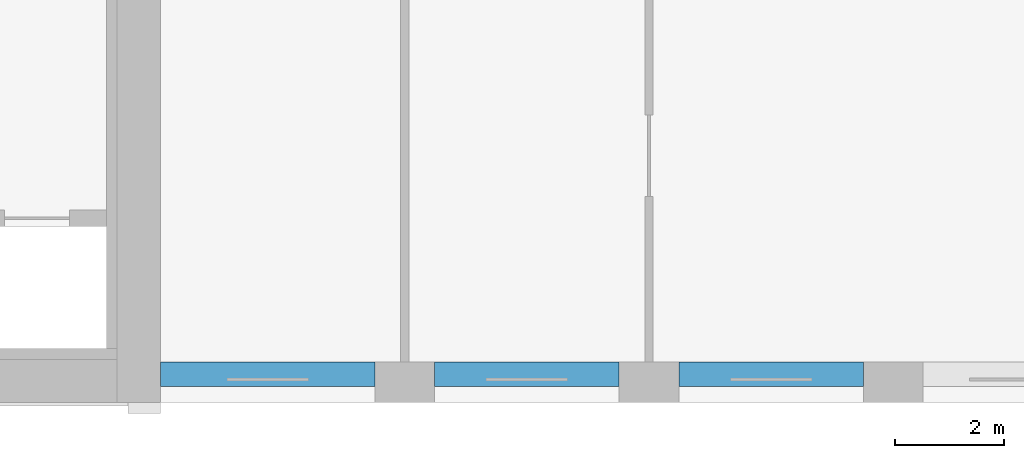
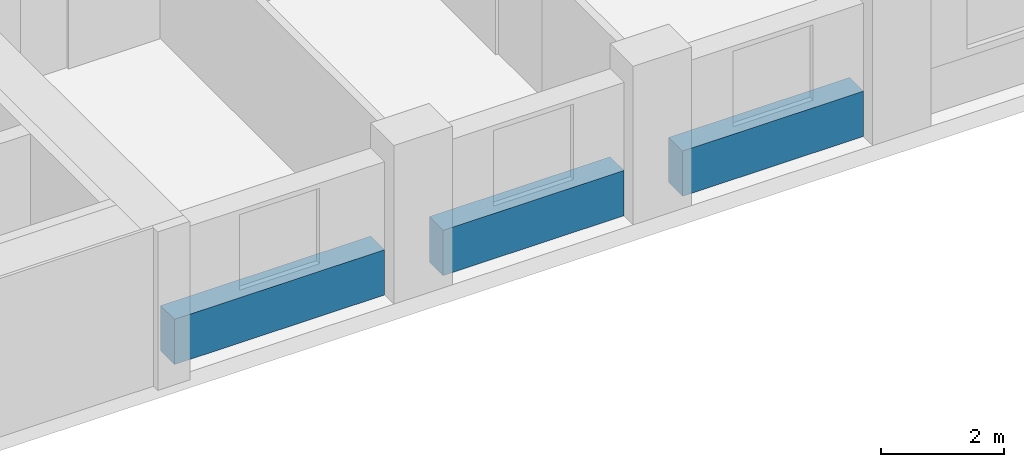
# One storey, part 3 of 17: 3 beams.
"""IFC4 building model written with IfcOpenShell, lengths in metres."""

from ifc_helpers import new_model, si_unit, direction, frame, origin, origin_2d, place, context, subcontext, project, spatial, rectangle, extrude, material, material_profile, profile_set, type_object, element, save


model = new_model("IFC4")

# Units and contexts
model_context = context("Model", 3, precision=1e-05, world=origin(), true_north=direction((0.0, 1.0)))
body_context = subcontext(model_context, "Body", "Model", "MODEL_VIEW")
ifc_project = project(units=[si_unit("LENGTHUNIT", "METRE"), si_unit("AREAUNIT", "SQUARE_METRE"), si_unit("VOLUMEUNIT", "CUBIC_METRE"), si_unit("PLANEANGLEUNIT", "RADIAN"), si_unit("MASSUNIT", "GRAM", prefix="KILO")], contexts=[model_context])

# Site, building, storey
site_placement = place(None, origin())
site = spatial("IfcSite", under=ifc_project, at=site_placement, CompositionType="ELEMENT")
building_placement = place(site_placement, origin())
building = spatial("IfcBuilding", under=site, at=building_placement, Name="Brigalow Station Residences", CompositionType="ELEMENT")
storey_placement = place(building_placement, frame((0.0, 0.0, 127.64990234375)))
storey = spatial("IfcBuildingStorey", under=building, at=storey_placement, Name="L37", CompositionType="ELEMENT", Elevation=127.64990234375)

# Beams
ifc_material = material(Name="Concrete C65", Category="concrete")
ifc_material_profile = material_profile(ifc_material, rectangle(XDim=0.449951171875, YDim=0.89990234375, at=origin_2d()), Name="RC450x900")
ifc_profile_set = profile_set([ifc_material_profile], Name="Concrete C65")
beam_type = type_object("IfcBeamType", Name="SPANDREL BEAM 450x900 C65", PredefinedType="SPANDREL", material=ifc_profile_set)
beam_placement = place(storey_placement, frame((54.0, 0.52490234375, 0.4501953125), z_axis=(1.0, 0.0, 0.0), x_axis=(0.0, 1.0, 0.0)))
element("IfcBeam", 1, at=beam_placement, inside=storey, type_object=beam_type, Name="L37/spandrel/W-L37-4", PredefinedType="SPANDREL", context=body_context, shape_type="SweptSolid", body=[
    extrude(rectangle(XDim=0.449951171875, YDim=0.89990234375, at=origin_2d()), origin(), (0.0, 0.0, 1.0), 3.949951171875),
])
for number, where, z_axis, x_axis, name in (
    (2, (59.050048828125, 0.52490234375, 0.4501953125), (1.0, 0.0, 0.0), (0.0, 1.0, 0.0), "L37/spandrel/W-L37-5"),
    (3, (63.550048828125, 0.52490234375, 0.4501953125), (1.0, 0.0, 0.0), (0.0, 1.0, 0.0), "L37/spandrel/W-L37-6"),
):
    element("IfcBeam", number, at=place(storey_placement, frame(where, z_axis=z_axis, x_axis=x_axis)), inside=storey, type_object=beam_type, Name=name, PredefinedType="SPANDREL", context=body_context, shape_type="SweptSolid", body=[
        extrude(rectangle(XDim=0.449951171875, YDim=0.89990234375, at=origin_2d()), origin(), (0.0, 0.0, 1.0), 3.39990234375),
    ])

save(model, "model.ifc")
